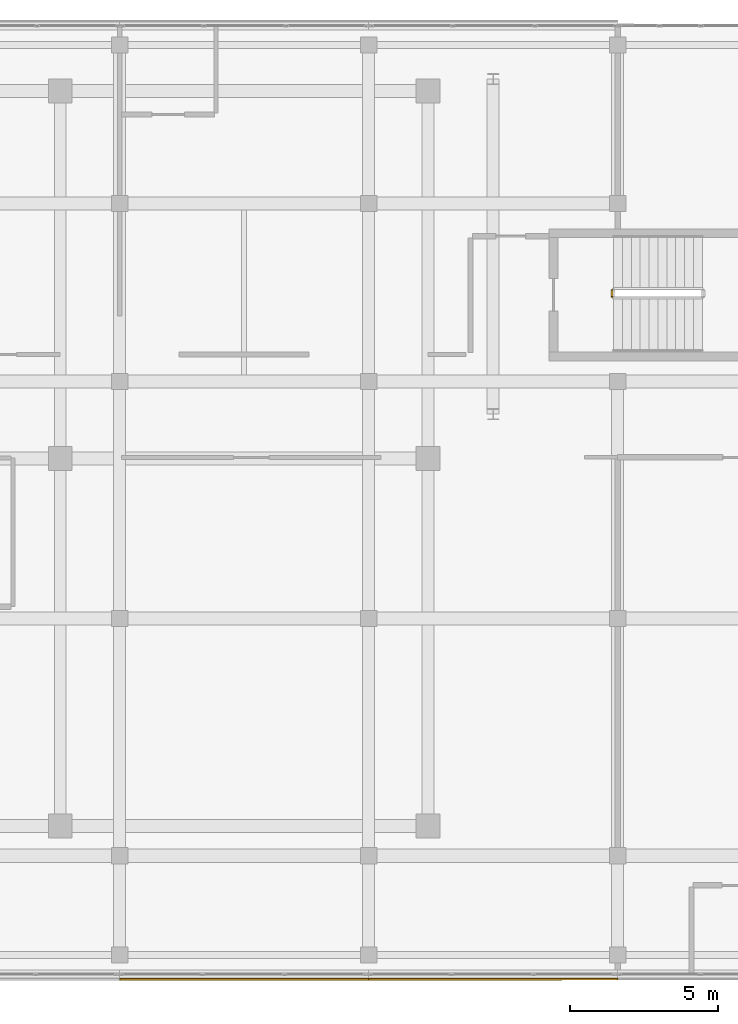
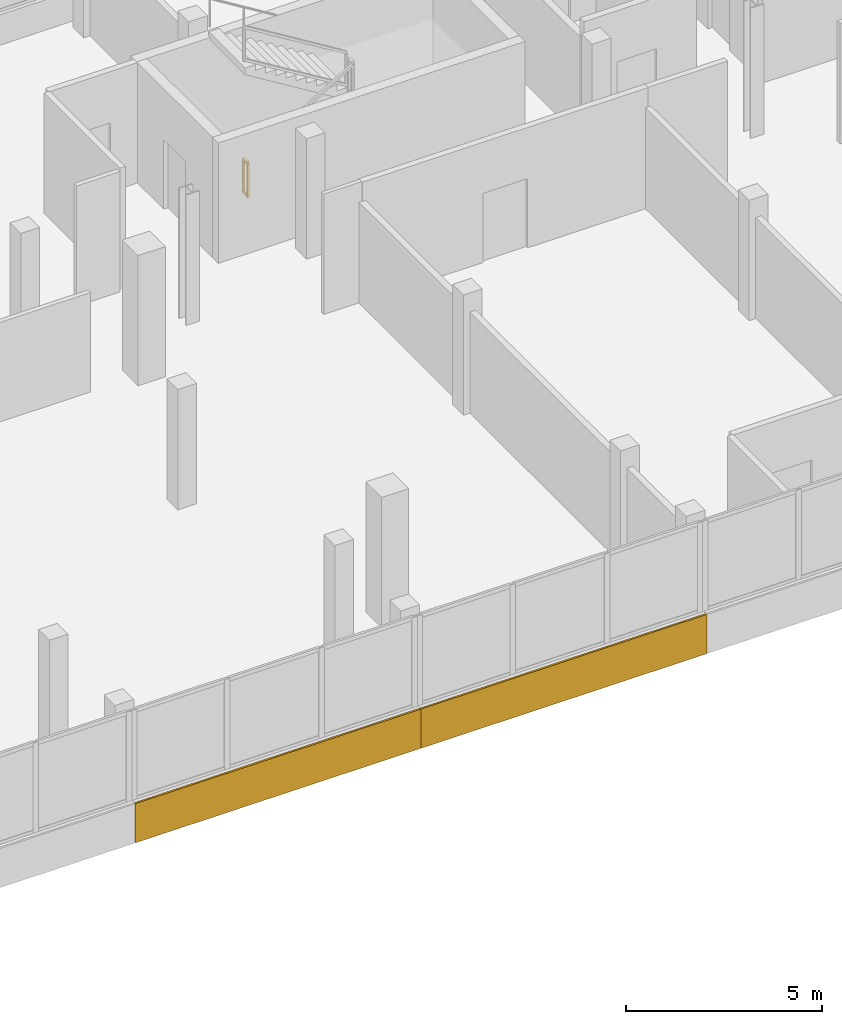
# One storey, part 62 of 67: 2 coverings, 1 railing.
"""IFC4 building model written with IfcOpenShell, lengths in metres."""

from ifc_helpers import new_model, si_unit, direction, frame, origin, origin_2d, place, context, subcontext, project, spatial, rectangle, extrude, material, layer, layer_set, type_object, element, save


model = new_model("IFC4")

# Units and contexts
model_context = context("Model", 3, precision=1e-05, world=origin(), true_north=direction((0.0, 1.0)))
body_context = subcontext(model_context, "Body", "Model", "MODEL_VIEW")
ifc_project = project(units=[si_unit("LENGTHUNIT", "METRE"), si_unit("AREAUNIT", "SQUARE_METRE"), si_unit("VOLUMEUNIT", "CUBIC_METRE"), si_unit("PLANEANGLEUNIT", "RADIAN"), si_unit("MASSUNIT", "GRAM", prefix="KILO")], contexts=[model_context])

# Site, building, storey
site_placement = place(None, origin())
site = spatial("IfcSite", under=ifc_project, at=site_placement, CompositionType="ELEMENT")
building_placement = place(site_placement, origin())
building = spatial("IfcBuilding", under=site, at=building_placement, Name="Selatvlak General Hospital", CompositionType="ELEMENT")
storey_placement = place(building_placement, frame((0.0, 0.0, 35.39990234375)))
storey = spatial("IfcBuildingStorey", under=building, at=storey_placement, Name="L08", CompositionType="ELEMENT", Elevation=35.39990234375)

# Coverings
ifc_material_1 = material(Name="White Bauhaus fair-faced cladding panel")
ifc_layer = layer(ifc_material_1, 0.054931640625, Name="White Bauhaus fair-faced cladding panel")
ifc_layer_set = layer_set([ifc_layer], Name="White Bauhaus fair-faced cladding panel")
covering_type = type_object("IfcCoveringType", Name="COV-WHT1", PredefinedType="CLADDING", material=ifc_layer_set)
for number, where, z_axis, x_axis, name in (
    (1, (85.800048828125, 87.8349609375, -0.27978515625), (0.0, 0.0, 1.0), (-1.0, 0.0, 0.0), "L08 Bauhaus horizontal white spandrel band 0563"),
    (2, (77.39990234375, 87.8349609375, -0.27978515625), (0.0, 0.0, 1.0), (-1.0, 0.0, 0.0), "L08 Bauhaus horizontal white spandrel band 0564"),
):
    element("IfcCovering", number, at=place(storey_placement, frame(where, z_axis=z_axis, x_axis=x_axis)), inside=storey, type_object=covering_type, Name=name, PredefinedType="CLADDING", context=body_context, shape_type="SweptSolid", body=[
        extrude(rectangle(XDim=8.39990234375, YDim=0.054931640625, at=origin_2d()), origin(), (0.0, 0.0, 1.0), 1.219970703125),
    ])

# Railing
ifc_material_2 = material(Name="Stainless steel 316 stair guard", Category="steel")
railing_type = type_object("IfcRailingType", Name="RAIL-STG", PredefinedType="GUARDRAIL", material=ifc_material_2)
railing_placement = place(storey_placement, frame((89.81005859375, 110.860107421875, 0.0)))
element("IfcRailing", 3, at=railing_placement, inside=storey, type_object=railing_type, Name="L08 ST-02 stair guard 4", PredefinedType="GUARDRAIL", context=body_context, shape_type="SweptSolid", body=[
    extrude(rectangle(XDim=0.068115234375, YDim=0.068115234375, at=origin_2d()), frame((0.0, 0.0029296875, 1.06591796875), z_axis=(0.0, 1.0, 0.0), x_axis=(-1.0, 0.0, 0.0)), (0.0, 0.0, 1.0), 0.214111328125),
    extrude(rectangle(XDim=0.068115234375, YDim=0.068115234375, at=origin_2d()), frame((0.0, 0.0029296875, 0.049072265625), z_axis=(0.0, 1.0, 0.0), x_axis=(-1.0, 0.0, 0.0)), (0.0, 0.0, 1.0), 0.214111328125),
    extrude(rectangle(XDim=0.055908203125, YDim=0.055908203125, at=origin_2d()), origin(), (0.0, 0.0, 1.0), 1.029052734375),
    extrude(rectangle(XDim=0.055908203125, YDim=0.055908203125, at=origin_2d()), frame((0.0, 0.219970703125, 0.0)), (0.0, 0.0, 1.0), 1.029052734375),
])

save(model, "model.ifc")
